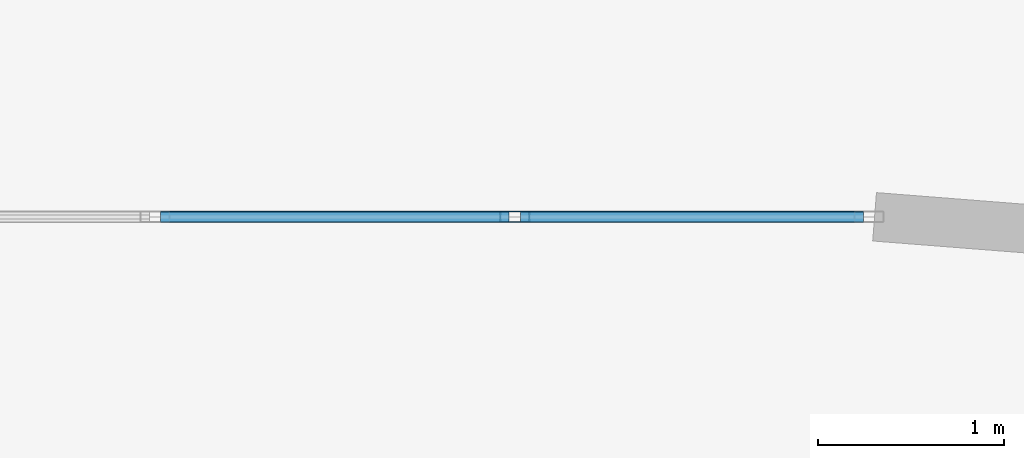
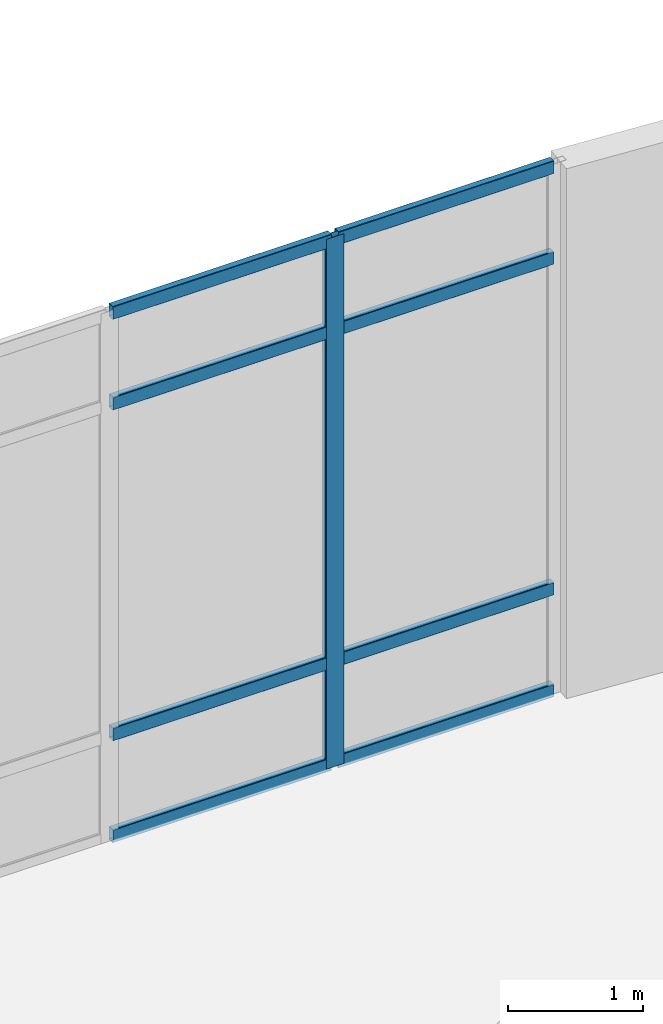
# One storey, part 66 of 120: 9 members, 1 element without a shape of its own.
"""IFC4 building model written with IfcOpenShell, lengths in metres."""

from ifc_helpers import new_model, si_unit, derived_unit, direction, frame, origin, origin_2d, place, context, subcontext, project, spatial, hollow_rectangle, extrude, material, layer, layer_set, material_profile, profile_set, type_object, element, aggregate, save


model = new_model("IFC4")

# Units and contexts
model_context = context("Model", 3, precision=1e-05, world=origin(), true_north=direction((0.0, 1.0)))
body_context = subcontext(model_context, "Body", "Model", "MODEL_VIEW")
ifc_project = project(units=[si_unit("LENGTHUNIT", "METRE"), si_unit("AREAUNIT", "SQUARE_METRE"), si_unit("VOLUMEUNIT", "CUBIC_METRE"), si_unit("PLANEANGLEUNIT", "RADIAN"), si_unit("MASSUNIT", "GRAM", prefix="KILO"), derived_unit("THERMALTRANSMITTANCEUNIT", [(si_unit("MASSUNIT", "GRAM", prefix="KILO"), 1), (si_unit("TIMEUNIT", "SECOND"), -3), (si_unit("THERMODYNAMICTEMPERATUREUNIT", "KELVIN"), -1)])], contexts=[model_context])

# Site, building, storey
site_placement = place(None, origin())
site = spatial("IfcSite", under=ifc_project, at=site_placement, CompositionType="ELEMENT")
building_placement = place(site_placement, origin())
building = spatial("IfcBuilding", under=site, at=building_placement, Name="Qinzheling Arcade Emporium", CompositionType="ELEMENT")
storey_placement = place(building_placement, frame((0.0, 0.0, 11.39990234375)))
storey = spatial("IfcBuildingStorey", under=building, at=storey_placement, Name="L03", CompositionType="ELEMENT", Elevation=11.39990234375)

# Curtain wall, members
ifc_material_1 = material(Name="Anodised aluminium and solar-control double glazing", Category="aluminium")
ifc_layer = layer(ifc_material_1, 0.159912109375, Name="Anodised aluminium and solar-control double glazing", Category="aluminium")
ifc_layer_set = layer_set([ifc_layer], Name="Anodised aluminium and solar-control double glazing")
curtain_wall_type = type_object("IfcCurtainWallType", Name="Food Hall Loggia Curtain Wall", PredefinedType="NOTDEFINED", material=ifc_layer_set)
curtain_wall_placement = place(storey_placement, origin())
curtain_wall = element("IfcCurtainWall", 1, at=curtain_wall_placement, inside=storey, type_object=curtain_wall_type, Name="Curtain Wall CW-L03-207", PredefinedType="NOTDEFINED")
ifc_material_2 = material(Name="Anodised aluminium 6063-T6", Category="aluminium")
ifc_material_profile_1 = material_profile(ifc_material_2, hollow_rectangle(XDim=0.06005859375, YDim=0.159912109375, WallThickness=0.00390625, InnerFilletRadius=0.00390625, OuterFilletRadius=0.008056640625, at=origin_2d()), Name="RHS 160x60x4", Category="aluminium")
ifc_profile_set_1 = profile_set([ifc_material_profile_1], Name="Anodised aluminium 6063-T6")
member_type_1 = type_object("IfcMemberType", Name="Curtain Wall Mullion RHS160x60", PredefinedType="MULLION", material=ifc_profile_set_1)
member_1_placement = place(storey_placement, frame((158.470458984375, 31.0, 0.0), z_axis=(0.0, 0.0, 1.0), x_axis=(0.0, 1.0, 0.0)))
member_1 = element("IfcMember", 2, at=member_1_placement, type_object=member_type_1, Name="CW04 mullion 4", PredefinedType="MULLION", context=body_context, shape_type="SweptSolid", body=[
    extrude(hollow_rectangle(XDim=0.06005859375, YDim=0.159912109375, WallThickness=0.00390625, InnerFilletRadius=0.00390625, OuterFilletRadius=0.008056640625, at=origin_2d()), origin(), (0.0, 0.0, 1.0), 4.7900390625),
])
ifc_material_profile_2 = material_profile(ifc_material_2, hollow_rectangle(XDim=0.06005859375, YDim=0.1201171875, WallThickness=0.00390625, InnerFilletRadius=0.00390625, OuterFilletRadius=0.008056640625, at=origin_2d()), Name="RHS 120x60x4", Category="aluminium")
ifc_profile_set_2 = profile_set([ifc_material_profile_2], Name="Anodised aluminium 6063-T6")
member_type_2 = type_object("IfcMemberType", Name="Curtain Wall Transom RHS120x60", PredefinedType="USERDEFINED", material=ifc_profile_set_2)
member_2_placement = place(storey_placement, frame((156.571044921875, 31.0, 0.030029296875), z_axis=(1.0, 0.0, 0.0), x_axis=(0.0, 1.0, 0.0)))
member_2 = element("IfcMember", 3, at=member_2_placement, type_object=member_type_2, Name="CW04 transom 3.1", ObjectType="TRANSOM", PredefinedType="USERDEFINED", context=body_context, shape_type="SweptSolid", body=[
    extrude(hollow_rectangle(XDim=0.06005859375, YDim=0.1201171875, WallThickness=0.00390625, InnerFilletRadius=0.00390625, OuterFilletRadius=0.008056640625, at=origin_2d()), origin(), (0.0, 0.0, 1.0), 1.869384765625),
])
member_3_placement = place(storey_placement, frame((156.571044921875, 31.0, 0.9501953125), z_axis=(1.0, 0.0, 0.0), x_axis=(0.0, 1.0, 0.0)))
member_3 = element("IfcMember", 4, at=member_3_placement, type_object=member_type_2, Name="CW04 transom 3.2", ObjectType="TRANSOM", PredefinedType="USERDEFINED", context=body_context, shape_type="SweptSolid", body=[
    extrude(hollow_rectangle(XDim=0.06005859375, YDim=0.1201171875, WallThickness=0.00390625, InnerFilletRadius=0.00390625, OuterFilletRadius=0.008056640625, at=origin_2d()), origin(), (0.0, 0.0, 1.0), 1.869384765625),
])
member_4_placement = place(storey_placement, frame((156.571044921875, 31.0, 3.940185546875), z_axis=(1.0, 0.0, 0.0), x_axis=(0.0, 1.0, 0.0)))
member_4 = element("IfcMember", 5, at=member_4_placement, type_object=member_type_2, Name="CW04 transom 3.3", ObjectType="TRANSOM", PredefinedType="USERDEFINED", context=body_context, shape_type="SweptSolid", body=[
    extrude(hollow_rectangle(XDim=0.06005859375, YDim=0.1201171875, WallThickness=0.00390625, InnerFilletRadius=0.00390625, OuterFilletRadius=0.008056640625, at=origin_2d()), origin(), (0.0, 0.0, 1.0), 1.869384765625),
])
member_5_placement = place(storey_placement, frame((156.571044921875, 31.0, 4.760009765625), z_axis=(1.0, 0.0, 0.0), x_axis=(0.0, 1.0, 0.0)))
member_5 = element("IfcMember", 6, at=member_5_placement, type_object=member_type_2, Name="CW04 transom 3.4", ObjectType="TRANSOM", PredefinedType="USERDEFINED", context=body_context, shape_type="SweptSolid", body=[
    extrude(hollow_rectangle(XDim=0.06005859375, YDim=0.1201171875, WallThickness=0.00390625, InnerFilletRadius=0.00390625, OuterFilletRadius=0.008056640625, at=origin_2d()), origin(), (0.0, 0.0, 1.0), 1.869384765625),
])
member_6_placement = place(storey_placement, frame((158.50048828125, 31.0, 0.030029296875), z_axis=(1.0, 0.0, 0.0), x_axis=(0.0, 1.0, 0.0)))
member_6 = element("IfcMember", 7, at=member_6_placement, type_object=member_type_2, Name="CW04 transom 4.1", ObjectType="TRANSOM", PredefinedType="USERDEFINED", context=body_context, shape_type="SweptSolid", body=[
    extrude(hollow_rectangle(XDim=0.06005859375, YDim=0.1201171875, WallThickness=0.00390625, InnerFilletRadius=0.00390625, OuterFilletRadius=0.008056640625, at=origin_2d()), origin(), (0.0, 0.0, 1.0), 1.839599609375),
])
member_7_placement = place(storey_placement, frame((158.50048828125, 31.0, 0.9501953125), z_axis=(1.0, 0.0, 0.0), x_axis=(0.0, 1.0, 0.0)))
member_7 = element("IfcMember", 8, at=member_7_placement, type_object=member_type_2, Name="CW04 transom 4.2", ObjectType="TRANSOM", PredefinedType="USERDEFINED", context=body_context, shape_type="SweptSolid", body=[
    extrude(hollow_rectangle(XDim=0.06005859375, YDim=0.1201171875, WallThickness=0.00390625, InnerFilletRadius=0.00390625, OuterFilletRadius=0.008056640625, at=origin_2d()), origin(), (0.0, 0.0, 1.0), 1.839599609375),
])
member_8_placement = place(storey_placement, frame((158.50048828125, 31.0, 3.940185546875), z_axis=(1.0, 0.0, 0.0), x_axis=(0.0, 1.0, 0.0)))
member_8 = element("IfcMember", 9, at=member_8_placement, type_object=member_type_2, Name="CW04 transom 4.3", ObjectType="TRANSOM", PredefinedType="USERDEFINED", context=body_context, shape_type="SweptSolid", body=[
    extrude(hollow_rectangle(XDim=0.06005859375, YDim=0.1201171875, WallThickness=0.00390625, InnerFilletRadius=0.00390625, OuterFilletRadius=0.008056640625, at=origin_2d()), origin(), (0.0, 0.0, 1.0), 1.839599609375),
])
member_9_placement = place(storey_placement, frame((158.50048828125, 31.0, 4.760009765625), z_axis=(1.0, 0.0, 0.0), x_axis=(0.0, 1.0, 0.0)))
member_9 = element("IfcMember", 10, at=member_9_placement, type_object=member_type_2, Name="CW04 transom 4.4", ObjectType="TRANSOM", PredefinedType="USERDEFINED", context=body_context, shape_type="SweptSolid", body=[
    extrude(hollow_rectangle(XDim=0.06005859375, YDim=0.1201171875, WallThickness=0.00390625, InnerFilletRadius=0.00390625, OuterFilletRadius=0.008056640625, at=origin_2d()), origin(), (0.0, 0.0, 1.0), 1.839599609375),
])
aggregate(curtain_wall, [member_1, member_2, member_3, member_4, member_5, member_6, member_7, member_8, member_9])

save(model, "model.ifc")
